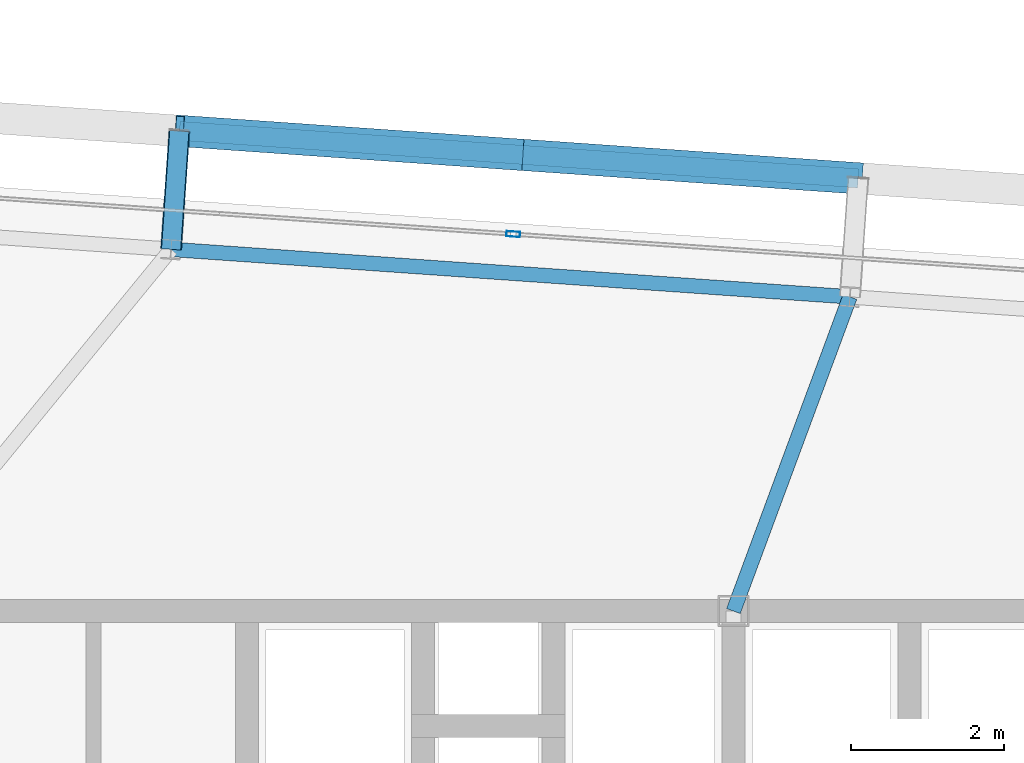
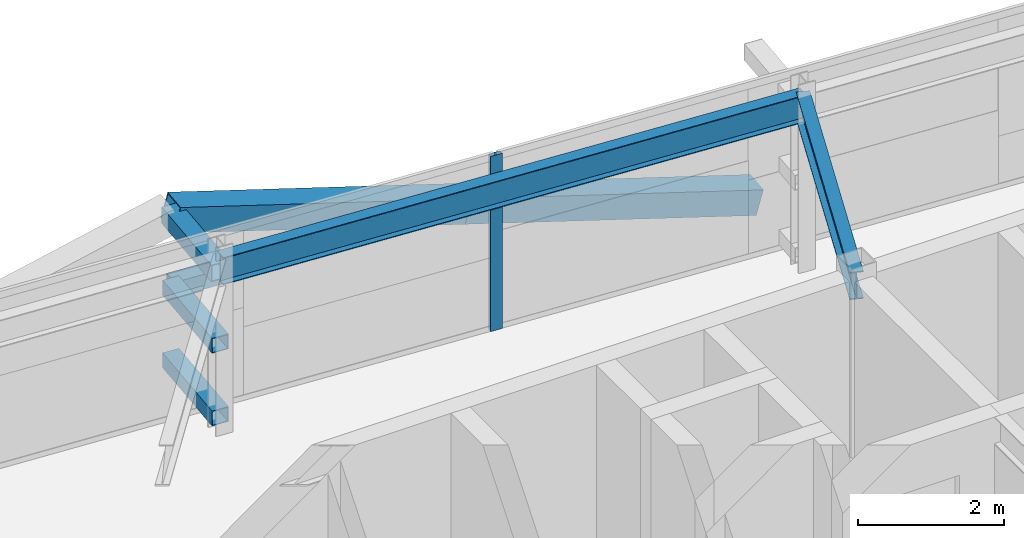
# One storey, part 22 of 39: 7 members, 2 beams, 1 element without a shape of its own.
"""IFC4 building model written with IfcOpenShell, lengths in metres."""

from ifc_helpers import new_model, si_unit, direction, frame, origin, origin_2d, place, context, subcontext, project, spatial, hollow_rectangle, i_section, extrude, source, transform, mapped, material, layer, layer_set, material_profile, profile_set, type_object, element, aggregate, save


model = new_model("IFC4")

# Units and contexts
model_context = context("Model", 3, precision=1e-05, world=origin(), true_north=direction((0.0, 1.0)))
body_context = subcontext(model_context, "Body", "Model", "MODEL_VIEW")
ifc_project = project(units=[si_unit("LENGTHUNIT", "METRE"), si_unit("AREAUNIT", "SQUARE_METRE"), si_unit("VOLUMEUNIT", "CUBIC_METRE"), si_unit("PLANEANGLEUNIT", "RADIAN"), si_unit("MASSUNIT", "GRAM", prefix="KILO")], contexts=[model_context])

# Site, building, storey
site_placement = place(None, origin())
site = spatial("IfcSite", under=ifc_project, at=site_placement, CompositionType="ELEMENT")
building_placement = place(site_placement, origin())
building = spatial("IfcBuilding", under=site, at=building_placement, Name="Taldren Reach Tower", CompositionType="ELEMENT")
storey_placement = place(building_placement, frame((0.0, 0.0, 155.050048828125)))
storey = spatial("IfcBuildingStorey", under=building, at=storey_placement, Name="L47", CompositionType="ELEMENT", Elevation=155.050048828125)

# Members
ifc_material_1 = material(Name="Steel Gr 450 (C450L0)", Category="steel")
ifc_material_profile_1 = material_profile(ifc_material_1, hollow_rectangle(XDim=0.27490234375, YDim=0.27490234375, WallThickness=0.00927734375, at=origin_2d()), Name="275x275x9.3SHS")
ifc_profile_set_1 = profile_set([ifc_material_profile_1], Name="Steel Gr 450 (C450L0)")
member_type_1 = type_object("IfcMemberType", Name="MB-TIE273", PredefinedType="STRUT", material=ifc_profile_set_1)
shared_shape_1 = source(origin(), body_context, "Body", "SweptSolid", [
    extrude(hollow_rectangle(XDim=0.27490234375, YDim=0.27490234375, WallThickness=0.00927734375, at=origin_2d()), origin(), (0.0, 0.0, 1.0), 1.5498046875),
])
member_1_placement = place(storey_placement, frame((31.861328125, 36.719970703125, 2.64990234375), z_axis=(0.069780535098, 0.997562367434, 0.0), x_axis=(-0.997562367434, 0.069780535098, 0.0)))
element("IfcMember", 1, at=member_1_placement, inside=storey, type_object=member_type_1, Name="Exoskeleton diaphragm tie strut B3-N3 L47", PredefinedType="STRUT", context=body_context, shape_type="MappedRepresentation", body=[
    mapped(shared_shape_1, transform((0.0, 0.0, 0.0), scale=1.0)),
])
ifc_material_2 = material(Name="Steel Gr 350 (C350L0)", Category="steel")
ifc_material_profile_2 = material_profile(ifc_material_2, hollow_rectangle(XDim=0.25, YDim=0.25, WallThickness=0.010009765625, at=origin_2d()), Name="250x250x10.0SHS")
ifc_profile_set_2 = profile_set([ifc_material_profile_2], Name="Steel Gr 350 (C350L0)")
member_type_2 = type_object("IfcMemberType", Name="MB-POST250", PredefinedType="POST", material=ifc_profile_set_2)
shared_shape_2 = source(origin(), body_context, "Body", "SweptSolid", [
    extrude(hollow_rectangle(XDim=0.25, YDim=0.25, WallThickness=0.010009765625, at=origin_2d()), origin(), (0.0, 0.0, 1.0), 1.5498046875),
])
for number, where, z_axis, x_axis, name in (
    (2, (31.861328125, 36.719970703125, 0.219970703125), (0.069780535098, 0.997562367434, 0.0), (-0.997562367434, 0.069780535098, 0.0), "Exoskeleton base diaphragm tie strut B3-N3 L47"),
    (3, (31.861328125, 36.719970703125, 1.43505859375), (0.069780535098, 0.997562367434, 0.0), (-0.997562367434, 0.069780535098, 0.0), "Exoskeleton mid-tier diaphragm tie B3-N3 L47"),
):
    element("IfcMember", number, at=place(storey_placement, frame(where, z_axis=z_axis, x_axis=x_axis)), inside=storey, type_object=member_type_2, Name=name, PredefinedType="POST", context=body_context, shape_type="MappedRepresentation", body=[
        mapped(shared_shape_2, transform((0.0, 0.0, 0.0), scale=1.0)),
    ])

# Beams
ifc_material_3 = material(Name="Steel Gr 350 (350PLUS)", Category="steel")
ifc_material_profile_3 = material_profile(ifc_material_3, i_section(OverallWidth=0.18994140625, OverallDepth=0.4541015625, WebThickness=0.008544921875, FlangeThickness=0.0126953125, at=origin_2d()), Name="460UB67.1")
ifc_profile_set_3 = profile_set([ifc_material_profile_3], Name="Steel Gr 350 (350PLUS)")
beam_type_1 = type_object("IfcBeamType", Name="SP-UB460B", PredefinedType="SPANDREL", material=ifc_profile_set_3)
shared_shape_3 = source(origin(), body_context, "Body", "SweptSolid", [
    extrude(i_section(OverallWidth=0.18994140625, OverallDepth=0.4541015625, WebThickness=0.008544921875, FlangeThickness=0.0126953125, at=origin_2d()), origin(), (0.0, 0.0, 1.0), 8.880126953125),
])
beam_1_placement = place(storey_placement, frame((40.7197265625, 36.100341796875, 2.702880859375), z_axis=(-0.997562566276, 0.06977769246, 0.0), x_axis=(-0.06977769246, -0.997562566276, 0.0)))
element("IfcBeam", 4, at=beam_1_placement, inside=storey, type_object=beam_type_1, Name="Perimeter spandrel B3 N4-N3 L47", PredefinedType="SPANDREL", context=body_context, shape_type="MappedRepresentation", body=[
    mapped(shared_shape_3, transform((0.0, 0.0, 0.0), scale=1.0)),
])
ifc_material_profile_4 = material_profile(ifc_material_3, i_section(OverallWidth=0.19091796875, OverallDepth=0.4599609375, WebThickness=0.010009765625, FlangeThickness=0.01611328125, at=origin_2d()), Name="460UB82.1")
ifc_profile_set_4 = profile_set([ifc_material_profile_4], Name="Steel Gr 350 (350PLUS)")
beam_type_2 = type_object("IfcBeamType", Name="BM-UB460A", PredefinedType="BEAM", material=ifc_profile_set_4)
shared_shape_4 = source(origin(), body_context, "Body", "SweptSolid", [
    extrude(i_section(OverallWidth=0.19091796875, OverallDepth=0.4599609375, WebThickness=0.010009765625, FlangeThickness=0.01611328125, at=origin_2d()), origin(), (0.0, 0.0, 1.0), 4.373046875),
])
beam_2_placement = place(storey_placement, frame((39.199951171875, 32.0, 2.699951171875), z_axis=(0.347541638975, 0.937664550454, 0.0), x_axis=(-0.937664550454, 0.347541638975, 0.0)))
element("IfcBeam", 5, at=beam_2_placement, inside=storey, type_object=beam_type_2, Name="Primary floor girder B3-N4 L47", PredefinedType="BEAM", context=body_context, shape_type="MappedRepresentation", body=[
    mapped(shared_shape_4, transform((0.0, 0.0, 0.0), scale=1.0)),
])

# Members
shared_shape_5 = source(origin(), body_context, "Body", "SweptSolid", [
    extrude(hollow_rectangle(XDim=0.25, YDim=0.25, WallThickness=0.010009765625, at=origin_2d()), origin(), (0.0, 0.0, 1.0), 8.880126953125),
])
member_2_placement = place(storey_placement, frame((31.969482421875, 38.26611328125, 1.43505859375), z_axis=(0.997564479639, -0.069750333063, 0.0), x_axis=(0.069750333063, 0.997564479639, 0.0)))
element("IfcMember", 6, at=member_2_placement, inside=storey, type_object=member_type_2, Name="Exoskeleton mid-height ring chord B3-N3 L47", PredefinedType="POST", context=body_context, shape_type="MappedRepresentation", body=[
    mapped(shared_shape_5, transform((0.0, 0.0, 0.0), scale=1.0)),
])
ifc_material_profile_5 = material_profile(ifc_material_1, hollow_rectangle(XDim=0.409912109375, YDim=0.409912109375, WallThickness=0.01611328125, at=origin_2d()), Name="410x410x16.0SHS")
ifc_profile_set_5 = profile_set([ifc_material_profile_5], Name="Steel Gr 450 (C450L0)")
member_type_3 = type_object("IfcMemberType", Name="MB-EXO406", PredefinedType="BRACE", material=ifc_profile_set_5)
shared_shape_6 = source(origin(), body_context, "Body", "SweptSolid", [
    extrude(hollow_rectangle(XDim=0.409912109375, YDim=0.409912109375, WallThickness=0.01611328125, at=origin_2d()), origin(), (0.0, 0.0, 1.0), 4.603271484375),
])
for number, where, z_axis, x_axis, name in (
    (7, (40.827880859375, 37.646728515625, 0.219970703125), (-0.962185784239, 0.067250114343, 0.263962002434), (-0.069722973508, -0.997566392259, 0.0), "Exoskeleton Diagrid Brace B3-N3 L47"),
    (8, (36.398681640625, 37.956298828125, 1.43505859375), (-0.962195820062, 0.067303852699, 0.263911718699), (-0.06977769246, -0.997562566276, 0.0), "Exoskeleton Diagrid Brace B3-N3 L47"),
):
    element("IfcMember", number, at=place(storey_placement, frame(where, z_axis=z_axis, x_axis=x_axis)), inside=storey, type_object=member_type_3, Name=name, PredefinedType="BRACE", context=body_context, shape_type="MappedRepresentation", body=[
        mapped(shared_shape_6, transform((0.0, 0.0, 0.0), scale=1.0)),
    ])

# Curtain wall, member
ifc_material_4 = material(Name="Aluminium and Low-E Glass Unitised System", Category="aluminium")
ifc_layer = layer(ifc_material_4, 0.159912109375)
ifc_layer_set = layer_set([ifc_layer], Name="Aluminium and Low-E Glass Unitised System")
curtain_wall_type = type_object("IfcCurtainWallType", Name="CW-SYS-4", PredefinedType="NOTDEFINED", material=ifc_layer_set)
curtain_wall_placement = place(storey_placement, origin())
curtain_wall = element("IfcCurtainWall", 9, at=curtain_wall_placement, inside=storey, type_object=curtain_wall_type, Name="Unitised curtain wall CW-L47-N", PredefinedType="NOTDEFINED")
ifc_material_5 = material(Name="Anodised Aluminium 6063-T6", Category="aluminium")
ifc_material_profile_6 = material_profile(ifc_material_5, hollow_rectangle(XDim=0.070068359375, YDim=0.179931640625, WallThickness=0.00390625, at=origin_2d()), Name="ALU-180x70x4RHS")
ifc_profile_set_6 = profile_set([ifc_material_profile_6], Name="Anodised Aluminium 6063-T6")
member_type_4 = type_object("IfcMemberType", Name="CW-MUL-180", PredefinedType="MULLION", material=ifc_profile_set_6)
shared_shape_7 = source(origin(), body_context, "Body", "SweptSolid", [
    extrude(hollow_rectangle(XDim=0.070068359375, YDim=0.179931640625, WallThickness=0.00390625, at=origin_2d()), origin(), (0.0, 0.0, 1.0), 2.929931640625),
])
member_3_placement = place(storey_placement, frame((36.326171875, 36.9189453125, 0.0), z_axis=(0.0, 0.0, 1.0), x_axis=(-0.06975651593, -0.99756404731, 0.0)))
member_3 = element("IfcMember", 10, at=member_3_placement, type_object=member_type_4, Name="CW-4 mullion 3", PredefinedType="MULLION", context=body_context, shape_type="MappedRepresentation", body=[
    mapped(shared_shape_7, transform((0.0, 0.0, 0.0), scale=1.0)),
])
aggregate(curtain_wall, [member_3])

save(model, "model.ifc")
